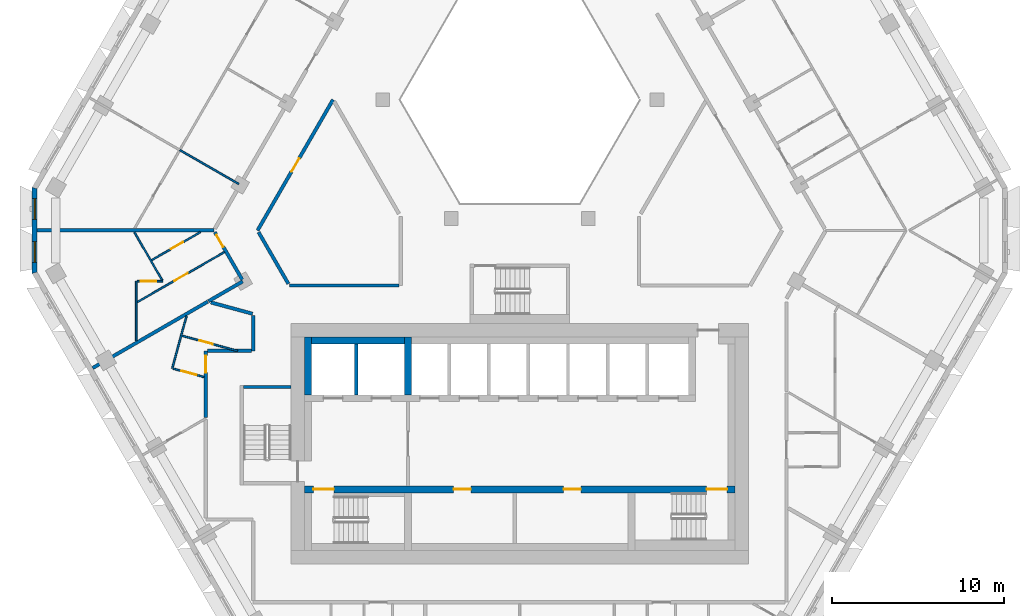
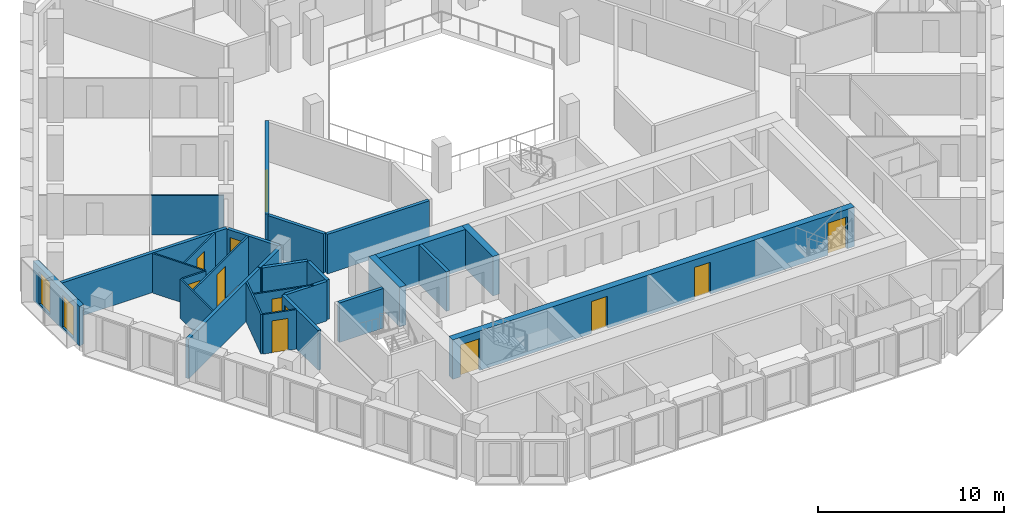
# One storey, part 4 of 17: 27 walls, 12 doors, 2 windows, 14 openings.
"""IFC4 building model written with IfcOpenShell, lengths in metres."""

from ifc_helpers import new_model, si_unit, direction, frame, frame_2d, origin, place, context, subcontext, project, spatial, polyline, rectangle, outline, extrude, material, layer, layer_set, type_object, element, fill, save


model = new_model("IFC4")

# Units and contexts
model_context = context("Model", 3, precision=1e-05, world=origin(), true_north=direction((0.0, 1.0)))
body_context = subcontext(model_context, "Body", "Model", "MODEL_VIEW")
ifc_project = project(units=[si_unit("LENGTHUNIT", "METRE"), si_unit("AREAUNIT", "SQUARE_METRE"), si_unit("VOLUMEUNIT", "CUBIC_METRE"), si_unit("PLANEANGLEUNIT", "RADIAN"), si_unit("MASSUNIT", "GRAM", prefix="KILO")], contexts=[model_context])

# Site, building, storey
site_placement = place(None, origin())
site = spatial("IfcSite", under=ifc_project, at=site_placement, CompositionType="ELEMENT")
building_placement = place(site_placement, origin())
building = spatial("IfcBuilding", under=site, at=building_placement, Name="Beryl Residences", CompositionType="ELEMENT")
storey_placement = place(building_placement, frame((0.0, 0.0, 150.60009765625)))
storey = spatial("IfcBuildingStorey", under=building, at=storey_placement, Name="L46", CompositionType="ELEMENT", Elevation=150.60009765625)

# Wall, openings, windows
ifc_material_1 = material(Name="Composite metal panel with mineral wool insulation")
ifc_layer_1 = layer(ifc_material_1, 0.300048828125)
ifc_layer_set_1 = layer_set([ifc_layer_1], Name="ES1 pale metal composite panel wall 300 mm")
wall_type_1 = type_object("IfcWallType", Name="ES1 pale metal composite panel wall 300 mm", PredefinedType="SOLIDWALL", material=ifc_layer_set_1)
wall_1_placement = place(storey_placement, frame((-28.197998046875, 2.89990234375, 0.0), z_axis=(0.0, 0.0, 1.0), x_axis=(0.0, -1.0, 0.0)))
wall_1 = element("IfcWall", 1, at=wall_1_placement, inside=storey, type_object=wall_type_1, Name="ES1 external wall L46 NW-SW", PredefinedType="SOLIDWALL", context=body_context, shape_type="SweptSolid", body=[
    extrude(outline(polyline([(0.0, -0.14990234375), (5.0, -0.14990234375), (4.919677734375, 0.14990234375), (0.080322265625, 0.14990234375), (0.0, -0.14990234375)])), origin(), (0.0, 0.0, 1.0), 2.599853515625),
])
opening_1_placement = place(wall_1_placement, frame((0.64990234375, 0.0, 0.14990234375)))
opening_1 = element("IfcOpeningElement", 2, at=opening_1_placement, cuts=wall_1, Name="Opening W2", PredefinedType="OPENING", context=body_context, shape_type="SweptSolid", body=[
    extrude(rectangle(XDim=1.199951171875, YDim=2.10009765625, at=frame_2d((0.60009765625, 1.050048828125))), frame((0.0, 0.159912109375, 0.0), z_axis=(0.0, -1.0, 0.0), x_axis=(1.0, 0.0, 0.0)), (0.0, 0.0, 1.0), 0.320068359375),
])
opening_2_placement = place(wall_1_placement, frame((3.14990234375, 0.0, 0.14990234375)))
opening_2 = element("IfcOpeningElement", 3, at=opening_2_placement, cuts=wall_1, Name="Opening W2", PredefinedType="OPENING", context=body_context, shape_type="SweptSolid", body=[
    extrude(rectangle(XDim=1.199951171875, YDim=2.10009765625, at=frame_2d((0.60009765625, 1.050048828125))), frame((0.0, 0.159912109375, 0.0), z_axis=(0.0, -1.0, 0.0), x_axis=(1.0, 0.0, 0.0)), (0.0, 0.0, 1.0), 0.320068359375),
])
ifc_material_2 = material(Name="Aluminium and clear glass", Category="aluminium")
window_type = type_object("IfcWindowType", Name="W2 chamfer window 1200 x 2100 mm", PartitioningType="SINGLE_PANEL", PredefinedType="WINDOW", material=ifc_material_2)
window_1_placement = place(opening_1_placement, origin())
window_1 = element("IfcWindow", 4, at=window_1_placement, inside=storey, type_object=window_type, Name="W2 window L46 NW-SW 1", OverallHeight=2.10009765625, OverallWidth=1.199951171875, PartitioningType="SINGLE_PANEL", PredefinedType="WINDOW", context=body_context, shape_type="SweptSolid", body=[
    extrude(rectangle(XDim=1.199951171875, YDim=2.10009765625, at=frame_2d((0.60009765625, 1.050048828125))), frame((0.0, 0.030029296875, 0.0), z_axis=(0.0, -1.0, 0.0), x_axis=(1.0, 0.0, 0.0)), (0.0, 0.0, 1.0), 0.06005859375),
])
fill(opening_1, window_1)
window_2_placement = place(opening_2_placement, origin())
window_2 = element("IfcWindow", 5, at=window_2_placement, inside=storey, type_object=window_type, Name="W2 window L46 NW-SW 2", OverallHeight=2.10009765625, OverallWidth=1.199951171875, PartitioningType="SINGLE_PANEL", PredefinedType="WINDOW", context=body_context, shape_type="SweptSolid", body=[
    extrude(rectangle(XDim=1.199951171875, YDim=2.10009765625, at=frame_2d((0.60009765625, 1.050048828125))), frame((0.0, 0.030029296875, 0.0), z_axis=(0.0, -1.0, 0.0), x_axis=(1.0, 0.0, 0.0)), (0.0, 0.0, 1.0), 0.06005859375),
])
fill(opening_2, window_2)

# Wall
ifc_material_3 = material(Name="Gypsum board partition on steel studs", Category="steel")
ifc_layer_2 = layer(ifc_material_3, 0.10009765625)
ifc_layer_set_2 = layer_set([ifc_layer_2], Name="PT1 partition 100 mm gypsum board on steel studs")
wall_type_2 = type_object("IfcWallType", Name="PT1 partition 100 mm gypsum board on steel studs", PredefinedType="PARTITIONING", material=ifc_layer_set_2)
wall_2_placement = place(storey_placement, frame((-22.39794921875, 0.299072265625, 0.0), z_axis=(0.0, 0.0, 1.0), x_axis=(0.50004249738, -0.86600086652, 0.0)))
element("IfcWall", 6, at=wall_2_placement, inside=storey, type_object=wall_type_2, Name="Wall PT1 L46 001", PredefinedType="PARTITIONING", context=body_context, shape_type="SweptSolid", body=[
    extrude(rectangle(XDim=3.235595703125, YDim=0.10009765625, at=frame_2d((1.61767578125, 0.0))), origin(), (0.0, 0.0, 1.0), 2.599853515625),
])

# Wall, opening, door
wall_3_placement = place(storey_placement, frame((-19.631103515625, -5.720947265625, 0.0), z_axis=(0.0, 0.0, 1.0), x_axis=(0.964816035809, -0.262925877475, 0.0)))
wall_3 = element("IfcWall", 7, at=wall_3_placement, inside=storey, type_object=wall_type_2, Name="Wall PT1 L46 011", PredefinedType="PARTITIONING", context=body_context, shape_type="SweptSolid", body=[
    extrude(rectangle(XDim=3.34375, YDim=0.10009765625, at=frame_2d((1.671875, 0.0))), origin(), (0.0, 0.0, 1.0), 2.599853515625),
])
opening_3_placement = place(wall_3_placement, frame((1.047119140625, 0.0, 0.0)))
opening_3 = element("IfcOpeningElement", 8, at=opening_3_placement, cuts=wall_3, Name="Opening D1102", PredefinedType="OPENING", context=body_context, shape_type="SweptSolid", body=[
    extrude(rectangle(XDim=0.800048828125, YDim=2.10009765625, at=frame_2d((0.39990234375, 1.050048828125))), frame((0.0, 0.06005859375, 0.0), z_axis=(0.0, -1.0, 0.0), x_axis=(1.0, 0.0, 0.0)), (0.0, 0.0, 1.0), 0.1201171875),
])
ifc_material_4 = material(Name="Timber door leaf", Category="wood")
door_type_1 = type_object("IfcDoorType", Name="D3 bathroom door 800 x 2100 mm", OperationType="SINGLE_SWING_LEFT", PredefinedType="DOOR", material=ifc_material_4)
door_1_placement = place(opening_3_placement, origin())
door_1 = element("IfcDoor", 9, at=door_1_placement, inside=storey, type_object=door_type_1, Name="Door D1102 L46 001", OperationType="SINGLE_SWING_RIGHT", OverallHeight=2.10009765625, OverallWidth=0.800048828125, PredefinedType="DOOR", context=body_context, shape_type="SweptSolid", body=[
    extrude(rectangle(XDim=0.800048828125, YDim=2.10009765625, at=frame_2d((0.39990234375, 1.050048828125))), frame((0.0, 0.02490234375, 0.0), z_axis=(0.0, -1.0, 0.0), x_axis=(1.0, 0.0, 0.0)), (0.0, 0.0, 1.0), 0.050048828125),
])
fill(opening_3, door_1)

wall_4_placement = place(storey_placement, frame((-20.15087890625, -7.631103515625, 0.0), z_axis=(0.0, 0.0, 1.0), x_axis=(0.964784947449, -0.263039930765, 0.0)))
wall_4 = element("IfcWall", 10, at=wall_4_placement, inside=storey, type_object=wall_type_2, Name="Wall PT1 L46 012", PredefinedType="PARTITIONING", context=body_context, shape_type="SweptSolid", body=[
    extrude(rectangle(XDim=1.866455078125, YDim=0.10009765625, at=frame_2d((0.93310546875, 0.0))), origin(), (0.0, 0.0, 1.0), 2.599853515625),
])
opening_4_placement = place(wall_4_placement, frame((0.510009765625, 0.0, 0.0)))
opening_4 = element("IfcOpeningElement", 11, at=opening_4_placement, cuts=wall_4, Name="Opening D1103", PredefinedType="OPENING", context=body_context, shape_type="SweptSolid", body=[
    extrude(rectangle(XDim=0.89990234375, YDim=2.10009765625, at=frame_2d((0.449951171875, 1.050048828125))), frame((0.0, 0.06005859375, 0.0), z_axis=(0.0, -1.0, 0.0), x_axis=(1.0, 0.0, 0.0)), (0.0, 0.0, 1.0), 0.1201171875),
])
ifc_material_5 = material(Name="Timber door leaf", Category="wood")
door_type_2 = type_object("IfcDoorType", Name="D2 room door 900 x 2100 mm", OperationType="SINGLE_SWING_LEFT", PredefinedType="DOOR", material=ifc_material_5)
door_2_placement = place(opening_4_placement, origin())
door_2 = element("IfcDoor", 12, at=door_2_placement, inside=storey, type_object=door_type_2, Name="Door D1103 L46 001", OperationType="SINGLE_SWING_LEFT", OverallHeight=2.10009765625, OverallWidth=0.89990234375, PredefinedType="DOOR", context=body_context, shape_type="SweptSolid", body=[
    extrude(rectangle(XDim=0.89990234375, YDim=2.10009765625, at=frame_2d((0.449951171875, 1.050048828125))), frame((0.0, 0.02490234375, 0.0), z_axis=(0.0, -1.0, 0.0), x_axis=(1.0, 0.0, 0.0)), (0.0, 0.0, 1.0), 0.050048828125),
])
fill(opening_4, door_2)

wall_5_placement = place(storey_placement, frame((-22.2470703125, -2.552978515625, 0.0), z_axis=(0.0, 0.0, 1.0), x_axis=(1.0, 0.0, 0.0)))
wall_5 = element("IfcWall", 13, at=wall_5_placement, inside=storey, type_object=wall_type_2, Name="Wall PT1 L46 023", PredefinedType="PARTITIONING", context=body_context, shape_type="SweptSolid", body=[
    extrude(rectangle(XDim=1.49609375, YDim=0.10009765625, at=frame_2d((0.748046875, 0.0))), origin(), (0.0, 0.0, 1.0), 2.599853515625),
])
opening_5_placement = place(wall_5_placement, frame((0.222900390625, 0.0, 0.0)))
opening_5 = element("IfcOpeningElement", 14, at=opening_5_placement, cuts=wall_5, Name="Opening D1153", PredefinedType="OPENING", context=body_context, shape_type="SweptSolid", body=[
    extrude(rectangle(XDim=0.89990234375, YDim=2.10009765625, at=frame_2d((0.449951171875, 1.050048828125))), frame((0.0, 0.06005859375, 0.0), z_axis=(0.0, -1.0, 0.0), x_axis=(1.0, 0.0, 0.0)), (0.0, 0.0, 1.0), 0.1201171875),
])
door_3_placement = place(opening_5_placement, origin())
door_3 = element("IfcDoor", 15, at=door_3_placement, inside=storey, type_object=door_type_2, Name="Door D1153 L46 001", OperationType="SINGLE_SWING_LEFT", OverallHeight=2.10009765625, OverallWidth=0.89990234375, PredefinedType="DOOR", context=body_context, shape_type="SweptSolid", body=[
    extrude(rectangle(XDim=0.89990234375, YDim=2.10009765625, at=frame_2d((0.449951171875, 1.050048828125))), frame((0.0, 0.02490234375, 0.0), z_axis=(0.0, -1.0, 0.0), x_axis=(1.0, 0.0, 0.0)), (0.0, 0.0, 1.0), 0.050048828125),
])
fill(opening_5, door_3)

# Walls
wall_6_placement = place(storey_placement, frame((-20.199951171875, -7.616943359375, 0.0), z_axis=(0.0, 0.0, 1.0), x_axis=(0.263150035392, 0.964754921663, 0.0)))
element("IfcWall", 16, at=wall_6_placement, inside=storey, type_object=wall_type_2, Name="Wall PT1 L46 035", PredefinedType="PARTITIONING", context=body_context, shape_type="SweptSolid", body=[
    extrude(rectangle(XDim=3.16552734375, YDim=0.10009765625, at=frame_2d((1.582763671875, 0.0))), origin(), (0.0, 0.0, 1.0), 2.599853515625),
])
wall_7_placement = place(storey_placement, frame((-22.297119140625, -6.02294921875, 0.0), z_axis=(0.0, 0.0, 1.0), x_axis=(0.0, 1.0, 0.0)))
element("IfcWall", 17, at=wall_7_placement, inside=storey, type_object=wall_type_2, Name="Wall PT1 L46 049", PredefinedType="PARTITIONING", context=body_context, shape_type="SweptSolid", body=[
    extrude(rectangle(XDim=3.469970703125, YDim=0.10009765625, at=frame_2d((1.73486328125, 0.0))), origin(), (0.0, 0.0, 1.0), 2.599853515625),
])

# Wall, opening, door
wall_8_placement = place(storey_placement, frame((-22.2470703125, -3.77587890625, 0.0), z_axis=(0.0, 0.0, 1.0), x_axis=(0.867243093247, 0.497884943752, 0.0)))
wall_8 = element("IfcWall", 18, at=wall_8_placement, inside=storey, type_object=wall_type_2, Name="Wall PT1 L46 054", PredefinedType="PARTITIONING", context=body_context, shape_type="SweptSolid", body=[
    extrude(rectangle(XDim=5.854248046875, YDim=0.10009765625, at=frame_2d((2.92724609375, 0.0))), origin(), (0.0, 0.0, 1.0), 2.599853515625),
])
opening_6_placement = place(wall_8_placement, frame((2.498046875, 0.0, 0.0)))
opening_6 = element("IfcOpeningElement", 19, at=opening_6_placement, cuts=wall_8, Name="Opening D1151", PredefinedType="OPENING", context=body_context, shape_type="SweptSolid", body=[
    extrude(rectangle(XDim=0.89990234375, YDim=2.10009765625, at=frame_2d((0.449951171875, 1.050048828125))), frame((0.0, 0.06005859375, 0.0), z_axis=(0.0, -1.0, 0.0), x_axis=(1.0, 0.0, 0.0)), (0.0, 0.0, 1.0), 0.1201171875),
])
door_4_placement = place(opening_6_placement, origin())
door_4 = element("IfcDoor", 20, at=door_4_placement, inside=storey, type_object=door_type_2, Name="Door D1151 L46 001", OperationType="SINGLE_SWING_LEFT", OverallHeight=2.10009765625, OverallWidth=0.89990234375, PredefinedType="DOOR", context=body_context, shape_type="SweptSolid", body=[
    extrude(rectangle(XDim=0.89990234375, YDim=2.10009765625, at=frame_2d((0.449951171875, 1.050048828125))), frame((0.0, 0.02490234375, 0.0), z_axis=(0.0, -1.0, 0.0), x_axis=(1.0, 0.0, 0.0)), (0.0, 0.0, 1.0), 0.050048828125),
])
fill(opening_6, door_4)

wall_9_placement = place(storey_placement, frame((-21.39990234375, -1.3291015625, 0.0), z_axis=(0.0, 0.0, 1.0), x_axis=(0.867235187435, 0.497898714274, 0.0)))
wall_9 = element("IfcWall", 21, at=wall_9_placement, inside=storey, type_object=wall_type_2, Name="Wall PT1 L46 055", PredefinedType="PARTITIONING", context=body_context, shape_type="SweptSolid", body=[
    extrude(rectangle(XDim=3.27001953125, YDim=0.10009765625, at=frame_2d((1.635009765625, 0.0))), origin(), (0.0, 0.0, 1.0), 2.599853515625),
])
opening_7_placement = place(wall_9_placement, frame((1.31005859375, 0.0, 0.0)))
opening_7 = element("IfcOpeningElement", 22, at=opening_7_placement, cuts=wall_9, Name="Opening D1152", PredefinedType="OPENING", context=body_context, shape_type="SweptSolid", body=[
    extrude(rectangle(XDim=0.800048828125, YDim=2.10009765625, at=frame_2d((0.39990234375, 1.050048828125))), frame((0.0, 0.06005859375, 0.0), z_axis=(0.0, -1.0, 0.0), x_axis=(1.0, 0.0, 0.0)), (0.0, 0.0, 1.0), 0.1201171875),
])
door_5_placement = place(opening_7_placement, origin())
door_5 = element("IfcDoor", 23, at=door_5_placement, inside=storey, type_object=door_type_1, Name="Door D1152 L46 001", OperationType="SINGLE_SWING_RIGHT", OverallHeight=2.10009765625, OverallWidth=0.800048828125, PredefinedType="DOOR", context=body_context, shape_type="SweptSolid", body=[
    extrude(rectangle(XDim=0.800048828125, YDim=2.10009765625, at=frame_2d((0.39990234375, 1.050048828125))), frame((0.0, 0.02490234375, 0.0), z_axis=(0.0, -1.0, 0.0), x_axis=(1.0, 0.0, 0.0)), (0.0, 0.0, 1.0), 0.050048828125),
])
fill(opening_7, door_5)

# Walls
wall_10_placement = place(storey_placement, frame((-19.757080078125, 5.072998046875, 0.0), z_axis=(0.0, 0.0, 1.0), x_axis=(0.866076396086, -0.499911668341, 0.0)))
element("IfcWall", 24, at=wall_10_placement, inside=storey, type_object=wall_type_2, Name="Wall PT1 L46 060", PredefinedType="PARTITIONING", context=body_context, shape_type="SweptSolid", body=[
    extrude(rectangle(XDim=3.946533203125, YDim=0.10009765625, at=frame_2d((1.97314453125, 0.0))), origin(), (0.0, 0.0, 1.0), 2.599853515625),
])
ifc_material_6 = material(Name="Acoustic double stud gypsum board wall")
ifc_layer_3 = layer(ifc_material_6, 0.199951171875)
ifc_layer_set_3 = layer_set([ifc_layer_3], Name="PT3 party wall 200 mm acoustic double stud")
wall_type_3 = type_object("IfcWallType", Name="PT3 party wall 200 mm acoustic double stud", PredefinedType="PARTITIONING", material=ifc_layer_set_3)
wall_11_placement = place(storey_placement, frame((-17.9560546875, -3.782958984375, 0.0), z_axis=(0.0, 0.0, 1.0), x_axis=(0.964815336827, -0.2629284424, 0.0)))
element("IfcWall", 25, at=wall_11_placement, inside=storey, type_object=wall_type_3, Name="Wall PT3 L46 004", PredefinedType="PARTITIONING", context=body_context, shape_type="SweptSolid", body=[
    extrude(rectangle(XDim=2.514404296875, YDim=0.199951171875, at=frame_2d((1.25732421875, 0.0))), origin(), (0.0, 0.0, 1.0), 2.599853515625),
])
wall_12_placement = place(storey_placement, frame((-28.048095703125, 0.39892578125, 0.0), z_axis=(0.0, 0.0, 1.0), x_axis=(1.0, 0.0, 0.0)))
element("IfcWall", 26, at=wall_12_placement, inside=storey, type_object=wall_type_3, Name="Wall PT3 L46 007", PredefinedType="PARTITIONING", context=body_context, shape_type="SweptSolid", body=[
    extrude(rectangle(XDim=10.26611328125, YDim=0.199951171875, at=frame_2d((5.133056640625, 0.0))), origin(), (0.0, 0.0, 1.0), 2.599853515625),
])
wall_13_placement = place(storey_placement, frame((-24.825927734375, -7.59912109375, 0.0), z_axis=(0.0, 0.0, 1.0), x_axis=(0.866031973572, 0.499988620622, 0.0)))
element("IfcWall", 27, at=wall_13_placement, inside=storey, type_object=wall_type_3, Name="Wall PT3 L46 013", PredefinedType="PARTITIONING", context=body_context, shape_type="SweptSolid", body=[
    extrude(rectangle(XDim=7.728271484375, YDim=0.199951171875, at=frame_2d((3.8642578125, 0.0))), origin(), (0.0, 0.0, 1.0), 2.599853515625),
])
wall_14_placement = place(storey_placement, frame((-18.095947265625, -3.714111328125, 0.0), z_axis=(0.0, 0.0, 1.0), x_axis=(0.865794513859, 0.500399700011, 0.0)))
element("IfcWall", 28, at=wall_14_placement, inside=storey, type_object=wall_type_3, Name="Wall PT3 L46 014", PredefinedType="PARTITIONING", context=body_context, shape_type="SweptSolid", body=[
    extrude(rectangle(XDim=2.29833984375, YDim=0.199951171875, at=frame_2d((1.149169921875, 0.0))), origin(), (0.0, 0.0, 1.0), 2.599853515625),
])
ifc_material_7 = material(Name="Double stud gypsum board wall")
ifc_layer_4 = layer(ifc_material_7, 0.199951171875)
ifc_layer_set_4 = layer_set([ifc_layer_4], Name="PT4 corridor wall 200 mm double stud")
wall_type_4 = type_object("IfcWallType", Name="PT4 corridor wall 200 mm double stud", PredefinedType="PARTITIONING", material=ifc_layer_set_4)
wall_15_placement = place(storey_placement, frame((-15.18408203125, 0.299072265625, 0.0), z_axis=(0.0, 0.0, 1.0), x_axis=(0.500149577091, -0.865939028186, 0.0)))
element("IfcWall", 29, at=wall_15_placement, inside=storey, type_object=wall_type_4, Name="Wall PT4 L46 002", PredefinedType="PARTITIONING", context=body_context, shape_type="SweptSolid", body=[
    extrude(rectangle(XDim=3.46337890625, YDim=0.199951171875, at=frame_2d((1.731689453125, 0.0))), origin(), (0.0, 0.0, 1.0), 2.599853515625),
])

# Wall, opening, door
wall_16_placement = place(storey_placement, frame((-17.72412109375, 0.299072265625, 0.0), z_axis=(0.0, 0.0, 1.0), x_axis=(0.499910220442, -0.866077231832, 0.0)))
wall_16 = element("IfcWall", 30, at=wall_16_placement, inside=storey, type_object=wall_type_4, Name="Wall PT4 L46 003", PredefinedType="PARTITIONING", context=body_context, shape_type="SweptSolid", body=[
    extrude(rectangle(XDim=3.18896484375, YDim=0.199951171875, at=frame_2d((1.594482421875, 0.0))), origin(), (0.0, 0.0, 1.0), 2.599853515625),
])
opening_8_placement = place(wall_16_placement, frame((0.18310546875, 0.0, 0.0)))
opening_8 = element("IfcOpeningElement", 31, at=opening_8_placement, cuts=wall_16, Name="Opening D1150", PredefinedType="OPENING", context=body_context, shape_type="SweptSolid", body=[
    extrude(rectangle(XDim=0.800048828125, YDim=2.10009765625, at=frame_2d((0.39990234375, 1.050048828125))), frame((0.0, 0.10986328125, 0.0), z_axis=(0.0, -1.0, 0.0), x_axis=(1.0, 0.0, 0.0)), (0.0, 0.0, 1.0), 0.219970703125),
])
ifc_material_8 = material(Name="Timber door leaf", Category="wood")
door_type_3 = type_object("IfcDoorType", Name="D12 flat entrance door 800 x 2100 mm", OperationType="SINGLE_SWING_LEFT", PredefinedType="DOOR", material=ifc_material_8)
door_6_placement = place(opening_8_placement, origin())
door_6 = element("IfcDoor", 32, at=door_6_placement, inside=storey, type_object=door_type_3, Name="Door D1150 L46 001", OperationType="SINGLE_SWING_RIGHT", OverallHeight=2.10009765625, OverallWidth=0.800048828125, PredefinedType="DOOR", context=body_context, shape_type="SweptSolid", body=[
    extrude(rectangle(XDim=0.800048828125, YDim=2.10009765625, at=frame_2d((0.39990234375, 1.050048828125))), frame((0.0, 0.02490234375, 0.0), z_axis=(0.0, -1.0, 0.0), x_axis=(1.0, 0.0, 0.0)), (0.0, 0.0, 1.0), 0.050048828125),
])
fill(opening_8, door_6)

# Walls
wall_17_placement = place(storey_placement, frame((-18.14990234375, -6.60009765625, 0.0), z_axis=(0.0, 0.0, 1.0), x_axis=(1.0, 0.0, 0.0)))
element("IfcWall", 33, at=wall_17_placement, inside=storey, type_object=wall_type_4, Name="Wall PT4 L46 010", PredefinedType="PARTITIONING", context=body_context, shape_type="SweptSolid", body=[
    extrude(rectangle(XDim=2.5498046875, YDim=0.199951171875, at=frame_2d((1.27490234375, 0.0))), origin(), (0.0, 0.0, 1.0), 2.599853515625),
])
wall_18_placement = place(storey_placement, frame((-13.39501953125, -2.800048828125, 0.0), z_axis=(0.0, 0.0, 1.0), x_axis=(1.0, 0.0, 0.0)))
element("IfcWall", 34, at=wall_18_placement, inside=storey, type_object=wall_type_4, Name="Wall PT4 L46 013", PredefinedType="PARTITIONING", context=body_context, shape_type="SweptSolid", body=[
    extrude(rectangle(XDim=6.366943359375, YDim=0.199951171875, at=frame_2d((3.18359375, 0.0))), origin(), (0.0, 0.0, 1.0), 2.599853515625),
])

# Wall, opening, door
wall_19_placement = place(storey_placement, frame((-15.241943359375, 0.39892578125, 0.0), z_axis=(0.0, 0.0, 1.0), x_axis=(0.499953615651, 0.866052182145, 0.0)))
wall_19 = element("IfcWall", 35, at=wall_19_placement, inside=storey, type_object=wall_type_4, Name="Wall PT4 L46 021", PredefinedType="PARTITIONING", context=body_context, shape_type="SweptSolid", body=[
    extrude(rectangle(XDim=8.776611328125, YDim=0.199951171875, at=frame_2d((4.38818359375, 0.0))), origin(), (0.0, 0.0, 1.0), 2.599853515625),
])
opening_9_placement = place(wall_19_placement, frame((3.93798828125, 0.0, 0.0)))
opening_9 = element("IfcOpeningElement", 36, at=opening_9_placement, cuts=wall_19, Name="Opening D1154", PredefinedType="OPENING", context=body_context, shape_type="SweptSolid", body=[
    extrude(rectangle(XDim=0.89990234375, YDim=2.10009765625, at=frame_2d((0.449951171875, 1.050048828125))), frame((0.0, 0.10986328125, 0.0), z_axis=(0.0, -1.0, 0.0), x_axis=(1.0, 0.0, 0.0)), (0.0, 0.0, 1.0), 0.219970703125),
])
door_7_placement = place(opening_9_placement, origin())
door_7 = element("IfcDoor", 37, at=door_7_placement, inside=storey, type_object=door_type_2, Name="Door D1154 L46 001", OperationType="SINGLE_SWING_RIGHT", OverallHeight=2.10009765625, OverallWidth=0.89990234375, PredefinedType="DOOR", context=body_context, shape_type="SweptSolid", body=[
    extrude(rectangle(XDim=0.89990234375, YDim=2.10009765625, at=frame_2d((0.449951171875, 1.050048828125))), frame((0.0, 0.02490234375, 0.0), z_axis=(0.0, -1.0, 0.0), x_axis=(1.0, 0.0, 0.0)), (0.0, 0.0, 1.0), 0.050048828125),
])
fill(opening_9, door_7)

# Wall
wall_20_placement = place(storey_placement, frame((-15.5, -6.60009765625, 0.0), z_axis=(0.0, 0.0, 1.0), x_axis=(0.0, 1.0, 0.0)))
element("IfcWall", 38, at=wall_20_placement, inside=storey, type_object=wall_type_4, Name="Wall PT4 L46 027", PredefinedType="PARTITIONING", context=body_context, shape_type="SweptSolid", body=[
    extrude(rectangle(XDim=2.044189453125, YDim=0.199951171875, at=frame_2d((1.02197265625, 0.0))), origin(), (0.0, 0.0, 1.0), 2.599853515625),
])

# Wall, opening, door
wall_21_placement = place(storey_placement, frame((-18.25, -10.47802734375, 0.0), z_axis=(0.0, 0.0, 1.0), x_axis=(0.0, 1.0, 0.0)))
wall_21 = element("IfcWall", 39, at=wall_21_placement, inside=storey, type_object=wall_type_4, Name="Wall PT4 L46 028", PredefinedType="PARTITIONING", context=body_context, shape_type="SweptSolid", body=[
    extrude(rectangle(XDim=3.8779296875, YDim=0.199951171875, at=frame_2d((1.93896484375, 0.0))), origin(), (0.0, 0.0, 1.0), 2.599853515625),
])
opening_10_placement = place(wall_21_placement, frame((2.60791015625, 0.0, 0.0)))
opening_10 = element("IfcOpeningElement", 40, at=opening_10_placement, cuts=wall_21, Name="Opening D1101", PredefinedType="OPENING", context=body_context, shape_type="SweptSolid", body=[
    extrude(rectangle(XDim=1.0, YDim=2.10009765625, at=frame_2d((0.5, 1.050048828125))), frame((0.0, 0.10986328125, 0.0), z_axis=(0.0, -1.0, 0.0), x_axis=(1.0, 0.0, 0.0)), (0.0, 0.0, 1.0), 0.219970703125),
])
ifc_material_9 = material(Name="Timber door leaf", Category="wood")
door_type_4 = type_object("IfcDoorType", Name="D1 flat entrance door 1000 x 2100 mm", OperationType="SINGLE_SWING_LEFT", PredefinedType="DOOR", material=ifc_material_9)
door_8_placement = place(opening_10_placement, origin())
door_8 = element("IfcDoor", 41, at=door_8_placement, inside=storey, type_object=door_type_4, Name="Door D1101 L46 001", OperationType="SINGLE_SWING_LEFT", OverallHeight=2.10009765625, OverallWidth=1.0, PredefinedType="DOOR", context=body_context, shape_type="SweptSolid", body=[
    extrude(rectangle(XDim=1.0, YDim=2.10009765625, at=frame_2d((0.5, 1.050048828125))), frame((0.0, 0.02490234375, 0.0), z_axis=(0.0, -1.0, 0.0), x_axis=(1.0, 0.0, 0.0)), (0.0, 0.0, 1.0), 0.050048828125),
])
fill(opening_10, door_8)

# Walls
ifc_material_10 = material(Name="Concrete C40/50", Category="concrete")
ifc_layer_5 = layer(ifc_material_10, 0.199951171875)
ifc_layer_set_5 = layer_set([ifc_layer_5], Name="PT5 stair enclosure wall 200 mm reinforced concrete C40/50")
wall_type_5 = type_object("IfcWallType", Name="PT5 stair enclosure wall 200 mm reinforced concrete C40/50", PredefinedType="SOLIDWALL", material=ifc_layer_set_5)
wall_22_placement = place(storey_placement, frame((-16.050048828125, -8.699951171875, 0.0), z_axis=(0.0, 0.0, 1.0), x_axis=(1.0, 0.0, 0.0)))
element("IfcWall", 42, at=wall_22_placement, inside=storey, type_object=wall_type_5, Name="Stair wall 03", PredefinedType="SOLIDWALL", context=body_context, shape_type="SweptSolid", body=[
    extrude(rectangle(XDim=2.75, YDim=0.199951171875, at=frame_2d((1.375, 0.0))), origin(), (0.0, 0.0, 1.0), 2.599853515625),
])
ifc_material_11 = material(Name="Concrete C40/50", Category="concrete")
ifc_layer_6 = layer(ifc_material_11, 0.199951171875)
ifc_layer_set_6 = layer_set([ifc_layer_6], Name="PT6 lift shaft wall 200 mm reinforced concrete C40/50")
wall_type_6 = type_object("IfcWallType", Name="PT6 lift shaft wall 200 mm reinforced concrete C40/50", PredefinedType="SOLIDWALL", material=ifc_layer_set_6)
wall_23_placement = place(storey_placement, frame((-9.5, -9.14990234375, 0.0), z_axis=(0.0, 0.0, 1.0), x_axis=(0.0, 1.0, 0.0)))
element("IfcWall", 43, at=wall_23_placement, inside=storey, type_object=wall_type_6, Name="Lift shaft wall 10", PredefinedType="SOLIDWALL", context=body_context, shape_type="SweptSolid", body=[
    extrude(rectangle(XDim=2.949951171875, YDim=0.199951171875, at=frame_2d((1.47509765625, 0.0))), origin(), (0.0, 0.0, 1.0), 2.599853515625),
])
ifc_material_12 = material(Name="Concrete C40/50", Category="concrete")
ifc_layer_7 = layer(ifc_material_12, 0.39990234375)
ifc_layer_set_7 = layer_set([ifc_layer_7], Name="PT6-400 lift shaft wall 400 mm")
wall_type_7 = type_object("IfcWallType", Name="PT6-400 lift shaft wall 400 mm", PredefinedType="SOLIDWALL", material=ifc_layer_set_7)
wall_24_placement = place(storey_placement, frame((-12.300048828125, -9.14990234375, 0.0), z_axis=(0.0, 0.0, 1.0), x_axis=(0.0, 1.0, 0.0)))
element("IfcWall", 44, at=wall_24_placement, inside=storey, type_object=wall_type_7, Name="Lift shaft wall 06", PredefinedType="SOLIDWALL", context=body_context, shape_type="SweptSolid", body=[
    extrude(rectangle(XDim=3.349853515625, YDim=0.39990234375, at=frame_2d((1.6748046875, 0.0))), origin(), (0.0, 0.0, 1.0), 2.599853515625),
])
wall_25_placement = place(storey_placement, frame((-12.10009765625, -6.0, 0.0), z_axis=(0.0, 0.0, 1.0), x_axis=(1.0, 0.0, 0.0)))
element("IfcWall", 45, at=wall_25_placement, inside=storey, type_object=wall_type_7, Name="Lift shaft wall 08", PredefinedType="SOLIDWALL", context=body_context, shape_type="SweptSolid", body=[
    extrude(rectangle(XDim=5.400146484375, YDim=0.39990234375, at=frame_2d((2.7001953125, 0.0))), origin(), (0.0, 0.0, 1.0), 2.599853515625),
])

# Wall, openings, doors
ifc_material_13 = material(Name="Concrete C60/75", Category="concrete")
ifc_layer_8 = layer(ifc_material_13, 0.39990234375)
ifc_layer_set_8 = layer_set([ifc_layer_8], Name="SW8 core internal wall 400 mm C60/75")
wall_type_8 = type_object("IfcWallType", Name="SW8 core internal wall 400 mm C60/75", PredefinedType="SHEAR", material=ifc_layer_set_8)
wall_26_placement = place(storey_placement, frame((-12.5, -14.64990234375, 0.0), z_axis=(0.0, 0.0, 1.0), x_axis=(1.0, 0.0, 0.0)))
wall_26 = element("IfcWall", 46, at=wall_26_placement, inside=storey, type_object=wall_type_8, Name="Core wall SP1 L46", PredefinedType="SHEAR", context=body_context, shape_type="SweptSolid", body=[
    extrude(rectangle(XDim=25.0, YDim=0.39990234375, at=frame_2d((12.5, 0.0))), origin(), (0.0, 0.0, 1.0), 2.599853515625),
])
opening_11_placement = place(wall_26_placement, frame((1.699951171875, 0.0, 0.0), z_axis=(0.0, 0.0, 1.0), x_axis=(-1.0, 0.0, 0.0)))
opening_11 = element("IfcOpeningElement", 47, at=opening_11_placement, cuts=wall_26, Name="Opening SD-1", PredefinedType="OPENING", context=body_context, shape_type="SweptSolid", body=[
    extrude(rectangle(XDim=1.199951171875, YDim=2.10009765625, at=frame_2d((0.60009765625, 1.050048828125))), frame((0.0, 0.2099609375, 0.0), z_axis=(0.0, -1.0, 0.0), x_axis=(1.0, 0.0, 0.0)), (0.0, 0.0, 1.0), 0.419921875),
])
opening_12_placement = place(wall_26_placement, frame((24.550048828125, 0.0, 0.0), z_axis=(0.0, 0.0, 1.0), x_axis=(-1.0, 0.0, 0.0)))
opening_12 = element("IfcOpeningElement", 48, at=opening_12_placement, cuts=wall_26, Name="Opening SD-3", PredefinedType="OPENING", context=body_context, shape_type="SweptSolid", body=[
    extrude(rectangle(XDim=1.199951171875, YDim=2.10009765625, at=frame_2d((0.60009765625, 1.050048828125))), frame((0.0, 0.2099609375, 0.0), z_axis=(0.0, -1.0, 0.0), x_axis=(1.0, 0.0, 0.0)), (0.0, 0.0, 1.0), 0.419921875),
])
opening_13_placement = place(wall_26_placement, frame((9.64990234375, 0.0, 0.0), z_axis=(0.0, 0.0, 1.0), x_axis=(-1.0, 0.0, 0.0)))
opening_13 = element("IfcOpeningElement", 49, at=opening_13_placement, cuts=wall_26, Name="Opening CD-D-S1", PredefinedType="OPENING", context=body_context, shape_type="SweptSolid", body=[
    extrude(rectangle(XDim=1.0, YDim=2.10009765625, at=frame_2d((0.5, 1.050048828125))), frame((0.0, 0.2099609375, 0.0), z_axis=(0.0, -1.0, 0.0), x_axis=(1.0, 0.0, 0.0)), (0.0, 0.0, 1.0), 0.419921875),
])
opening_14_placement = place(wall_26_placement, frame((16.050048828125, 0.0, 0.0), z_axis=(0.0, 0.0, 1.0), x_axis=(-1.0, 0.0, 0.0)))
opening_14 = element("IfcOpeningElement", 50, at=opening_14_placement, cuts=wall_26, Name="Opening CD-D-S2", PredefinedType="OPENING", context=body_context, shape_type="SweptSolid", body=[
    extrude(rectangle(XDim=1.0, YDim=2.10009765625, at=frame_2d((0.5, 1.050048828125))), frame((0.0, 0.2099609375, 0.0), z_axis=(0.0, -1.0, 0.0), x_axis=(1.0, 0.0, 0.0)), (0.0, 0.0, 1.0), 0.419921875),
])
ifc_material_14 = material(Name="Steel door leaf in steel frame", Category="steel")
door_type_5 = type_object("IfcDoorType", Name="D18 service room door 1000 x 2100 mm", OperationType="SINGLE_SWING_LEFT", PredefinedType="DOOR", material=ifc_material_14)
door_9_placement = place(opening_13_placement, origin())
door_9 = element("IfcDoor", 51, at=door_9_placement, inside=storey, type_object=door_type_5, Name="Door CD-D-S1 L46 001", OperationType="SINGLE_SWING_RIGHT", OverallHeight=2.10009765625, OverallWidth=1.0, PredefinedType="DOOR", context=body_context, shape_type="SweptSolid", body=[
    extrude(rectangle(XDim=1.0, YDim=2.10009765625, at=frame_2d((0.5, 1.050048828125))), frame((0.0, 0.02490234375, 0.0), z_axis=(0.0, -1.0, 0.0), x_axis=(1.0, 0.0, 0.0)), (0.0, 0.0, 1.0), 0.050048828125),
])
fill(opening_13, door_9)
door_10_placement = place(opening_14_placement, origin())
door_10 = element("IfcDoor", 52, at=door_10_placement, inside=storey, type_object=door_type_5, Name="Door CD-D-S2 L46 001", OperationType="SINGLE_SWING_LEFT", OverallHeight=2.10009765625, OverallWidth=1.0, PredefinedType="DOOR", context=body_context, shape_type="SweptSolid", body=[
    extrude(rectangle(XDim=1.0, YDim=2.10009765625, at=frame_2d((0.5, 1.050048828125))), frame((0.0, 0.02490234375, 0.0), z_axis=(0.0, -1.0, 0.0), x_axis=(1.0, 0.0, 0.0)), (0.0, 0.0, 1.0), 0.050048828125),
])
fill(opening_14, door_10)
ifc_material_15 = material(Name="Steel door leaf in steel frame", Category="steel")
door_type_6 = type_object("IfcDoorType", Name="D4 stair door 1200 x 2100 mm", OperationType="SINGLE_SWING_LEFT", PredefinedType="DOOR", material=ifc_material_15)
door_11_placement = place(opening_11_placement, origin())
door_11 = element("IfcDoor", 53, at=door_11_placement, inside=storey, type_object=door_type_6, Name="Door SD-1 L46 001", OperationType="SINGLE_SWING_RIGHT", OverallHeight=2.10009765625, OverallWidth=1.199951171875, PredefinedType="DOOR", context=body_context, shape_type="SweptSolid", body=[
    extrude(rectangle(XDim=1.199951171875, YDim=2.10009765625, at=frame_2d((0.60009765625, 1.050048828125))), frame((0.0, 0.02490234375, 0.0), z_axis=(0.0, -1.0, 0.0), x_axis=(1.0, 0.0, 0.0)), (0.0, 0.0, 1.0), 0.050048828125),
])
fill(opening_11, door_11)
door_12_placement = place(opening_12_placement, origin())
door_12 = element("IfcDoor", 54, at=door_12_placement, inside=storey, type_object=door_type_6, Name="Door SD-3 L46 001", OperationType="SINGLE_SWING_RIGHT", OverallHeight=2.10009765625, OverallWidth=1.199951171875, PredefinedType="DOOR", context=body_context, shape_type="SweptSolid", body=[
    extrude(rectangle(XDim=1.199951171875, YDim=2.10009765625, at=frame_2d((0.60009765625, 1.050048828125))), frame((0.0, 0.02490234375, 0.0), z_axis=(0.0, -1.0, 0.0), x_axis=(1.0, 0.0, 0.0)), (0.0, 0.0, 1.0), 0.050048828125),
])
fill(opening_12, door_12)

# Wall
wall_27_placement = place(storey_placement, frame((-6.5, -9.14990234375, 0.0), z_axis=(0.0, 0.0, 1.0), x_axis=(0.0, 1.0, 0.0)))
element("IfcWall", 55, at=wall_27_placement, inside=storey, type_object=wall_type_8, Name="Core wall XN1 L46", PredefinedType="SHEAR", context=body_context, shape_type="SweptSolid", body=[
    extrude(rectangle(XDim=3.349853515625, YDim=0.39990234375, at=frame_2d((1.6748046875, 0.0))), origin(), (0.0, 0.0, 1.0), 2.599853515625),
])

save(model, "model.ifc")
